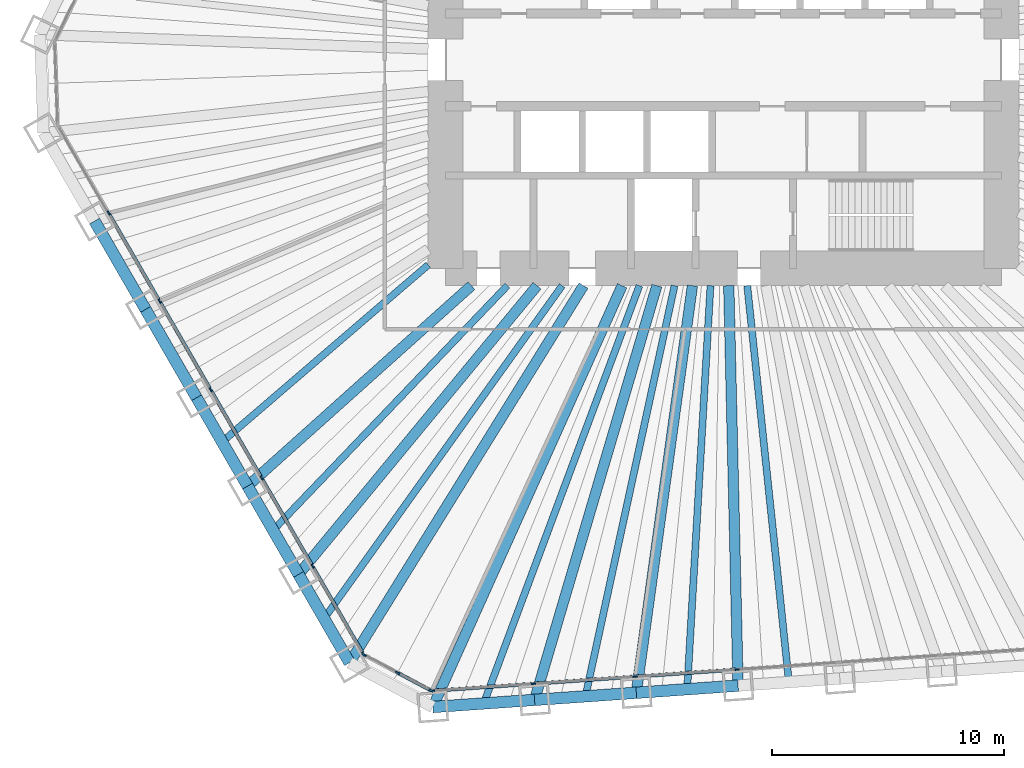
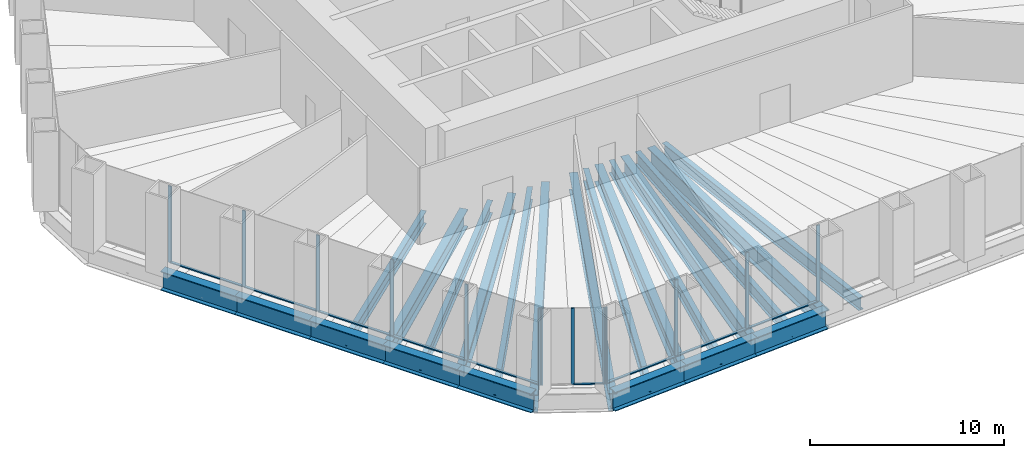
# One storey, part 2 of 13: 22 beams, 22 members, 3 elements without a shape of their own.
"""IFC4 building model written with IfcOpenShell, lengths in metres."""

from ifc_helpers import new_model, si_unit, direction, frame, origin, origin_2d, place, context, subcontext, project, spatial, rectangle, i_section, extrude, material, material_profile, profile_set, type_object, element, aggregate, save


model = new_model("IFC4")

# Units and contexts
model_context = context("Model", 3, precision=1e-05, world=origin(), true_north=direction((0.0, 1.0)))
body_context = subcontext(model_context, "Body", "Model", "MODEL_VIEW")
ifc_project = project(units=[si_unit("LENGTHUNIT", "METRE"), si_unit("AREAUNIT", "SQUARE_METRE"), si_unit("VOLUMEUNIT", "CUBIC_METRE"), si_unit("PLANEANGLEUNIT", "RADIAN"), si_unit("MASSUNIT", "GRAM", prefix="KILO")], contexts=[model_context])

# Site, building, storey
site_placement = place(None, origin())
site = spatial("IfcSite", under=ifc_project, at=site_placement, CompositionType="ELEMENT")
building_placement = place(site_placement, origin())
building = spatial("IfcBuilding", under=site, at=building_placement, Name="Qingtian Harvest Tower", CompositionType="ELEMENT")
storey_placement = place(building_placement, frame((0.0, 0.0, 42.0)))
storey = spatial("IfcBuildingStorey", under=building, at=storey_placement, Name="L08", CompositionType="ELEMENT", Elevation=42.0)

# Beams
ifc_material_1 = material(Name="Steel SM570MC", Category="steel")
ifc_material_profile_1 = material_profile(ifc_material_1, i_section(OverallWidth=0.449951171875, OverallDepth=1.10009765625, WebThickness=0.02197265625, FlangeThickness=0.044921875, at=origin_2d()), Name="H1100x450x22x45")
ifc_profile_set_1 = profile_set([ifc_material_profile_1], Name="Steel SM570MC")
beam_type_1 = type_object("IfcBeamType", Name="Corner floor beam FB8 H1100x450x22x45", PredefinedType="BEAM", material=ifc_profile_set_1)
beam_1_placement = place(storey_placement, frame((-12.552734375, -27.943603515625, -0.75), z_axis=(0.409769605538, 0.912189054077, 0.0), x_axis=(-0.912189054077, 0.409769605538, 0.0)))
element("IfcBeam", 1, at=beam_1_placement, inside=storey, type_object=beam_type_1, Name="Floor beam FB8 S6", PredefinedType="BEAM", context=body_context, shape_type="SweptSolid", body=[
    extrude(i_section(OverallWidth=0.449951171875, OverallDepth=1.10009765625, WebThickness=0.02197265625, FlangeThickness=0.044921875, at=origin_2d()), origin(), (0.0, 0.0, 1.0), 19.945068359375),
])
beam_2_placement = place(storey_placement, frame((-16.14697265625, -26.03271484375, -0.75), z_axis=(0.5270935495, 0.849807266429, 0.0), x_axis=(-0.849807266429, 0.5270935495, 0.0)))
element("IfcBeam", 2, at=beam_2_placement, inside=storey, type_object=beam_type_1, Name="Floor beam FB8 SW0", PredefinedType="BEAM", context=body_context, shape_type="SweptSolid", body=[
    extrude(i_section(OverallWidth=0.449951171875, OverallDepth=1.10009765625, WebThickness=0.02197265625, FlangeThickness=0.044921875, at=origin_2d()), origin(), (0.0, 0.0, 1.0), 19.160400390625),
])
ifc_material_2 = material(Name="Steel SM570MC", Category="steel")
ifc_material_profile_2 = material_profile(ifc_material_2, i_section(OverallWidth=0.449951171875, OverallDepth=1.10009765625, WebThickness=0.02197265625, FlangeThickness=0.044921875, at=origin_2d()), Name="H1100x450x22x45")
ifc_profile_set_2 = profile_set([ifc_material_profile_2], Name="Steel SM570MC")
beam_type_2 = type_object("IfcBeamType", Name="Floor beam FB1 H1100x450x22x45", PredefinedType="BEAM", material=ifc_profile_set_2)
beam_3_placement = place(storey_placement, frame((0.62890625, -27.02197265625, -0.75), z_axis=(-0.023274161941, 0.999729120005, 0.0), x_axis=(-0.999729120005, -0.023274161941, 0.0)))
element("IfcBeam", 3, at=beam_3_placement, inside=storey, type_object=beam_type_2, Name="Floor beam FB1 S3", PredefinedType="BEAM", context=body_context, shape_type="SweptSolid", body=[
    extrude(i_section(OverallWidth=0.449951171875, OverallDepth=1.10009765625, WebThickness=0.02197265625, FlangeThickness=0.044921875, at=origin_2d()), origin(), (0.0, 0.0, 1.0), 17.276611328125),
])
beam_4_placement = place(storey_placement, frame((-3.76513671875, -27.3291015625, -0.75), z_axis=(0.136480966577, 0.990642693287, 0.0), x_axis=(-0.990642693287, 0.136480966577, 0.0)))
element("IfcBeam", 4, at=beam_4_placement, inside=storey, type_object=beam_type_2, Name="Floor beam FB1 S4", PredefinedType="BEAM", context=body_context, shape_type="SweptSolid", body=[
    extrude(i_section(OverallWidth=0.449951171875, OverallDepth=1.10009765625, WebThickness=0.02197265625, FlangeThickness=0.044921875, at=origin_2d()), origin(), (0.0, 0.0, 1.0), 17.7451171875),
])
beam_5_placement = place(storey_placement, frame((-8.158935546875, -27.636474609375, -0.75), z_axis=(0.283142824758, 0.95907775534, 0.0), x_axis=(-0.95907775534, 0.283142824758, 0.0)))
element("IfcBeam", 5, at=beam_5_placement, inside=storey, type_object=beam_type_2, Name="Floor beam FB1 S5", PredefinedType="BEAM", context=body_context, shape_type="SweptSolid", body=[
    extrude(i_section(OverallWidth=0.449951171875, OverallDepth=1.10009765625, WebThickness=0.02197265625, FlangeThickness=0.044921875, at=origin_2d()), origin(), (0.0, 0.0, 1.0), 18.649658203125),
])
beam_6_placement = place(storey_placement, frame((-18.349365234375, -22.21826171875, -0.75), z_axis=(0.636780387972, 0.771045224026, 0.0), x_axis=(-0.771045224026, 0.636780387972, 0.0)))
element("IfcBeam", 6, at=beam_6_placement, inside=storey, type_object=beam_type_2, Name="Floor beam FB1 SW1", PredefinedType="BEAM", context=body_context, shape_type="SweptSolid", body=[
    extrude(i_section(OverallWidth=0.449951171875, OverallDepth=1.10009765625, WebThickness=0.02197265625, FlangeThickness=0.044921875, at=origin_2d()), origin(), (0.0, 0.0, 1.0), 16.170654296875),
])
beam_7_placement = place(storey_placement, frame((-20.551513671875, -18.403564453125, -0.75), z_axis=(0.744965104975, 0.667103434536, 0.0), x_axis=(-0.667103434536, 0.744965104975, 0.0)))
element("IfcBeam", 7, at=beam_7_placement, inside=storey, type_object=beam_type_2, Name="Floor beam FB1 SW2", PredefinedType="BEAM", context=body_context, shape_type="SweptSolid", body=[
    extrude(i_section(OverallWidth=0.449951171875, OverallDepth=1.10009765625, WebThickness=0.02197265625, FlangeThickness=0.044921875, at=origin_2d()), origin(), (0.0, 0.0, 1.0), 12.971923828125),
])
ifc_material_3 = material(Name="Steel SN490B", Category="steel")
ifc_material_profile_3 = material_profile(ifc_material_3, i_section(OverallWidth=0.300048828125, OverallDepth=0.800048828125, WebThickness=0.013916015625, FlangeThickness=0.02587890625, at=origin_2d()), Name="H800x300x14x26")
ifc_profile_set_3 = profile_set([ifc_material_profile_3], Name="Steel SN490B")
beam_type_3 = type_object("IfcBeamType", Name="Floor joist J1 H800x300x14x26", PredefinedType="JOIST", material=ifc_profile_set_3)
beam_8_placement = place(storey_placement, frame((2.82568359375, -26.868408203125, -0.60009765625), z_axis=(-0.104590278152, 0.99451539642, 0.0), x_axis=(-0.99451539642, -0.104590278152, 0.0)))
element("IfcBeam", 8, at=beam_8_placement, inside=storey, type_object=beam_type_3, Name="Floor joist J1 S2", PredefinedType="JOIST", context=body_context, shape_type="SweptSolid", body=[
    extrude(i_section(OverallWidth=0.300048828125, OverallDepth=0.800048828125, WebThickness=0.013916015625, FlangeThickness=0.02587890625, at=origin_2d()), origin(), (0.0, 0.0, 1.0), 17.212890625),
])
beam_9_placement = place(storey_placement, frame((-1.568115234375, -27.175537109375, -0.60009765625), z_axis=(0.057613424947, 0.998338967118, 0.0), x_axis=(-0.998338967118, 0.057613424947, 0.0)))
element("IfcBeam", 9, at=beam_9_placement, inside=storey, type_object=beam_type_3, Name="Floor joist J1 S3", PredefinedType="JOIST", context=body_context, shape_type="SweptSolid", body=[
    extrude(i_section(OverallWidth=0.300048828125, OverallDepth=0.800048828125, WebThickness=0.013916015625, FlangeThickness=0.02587890625, at=origin_2d()), origin(), (0.0, 0.0, 1.0), 17.45458984375),
])
beam_10_placement = place(storey_placement, frame((-5.9619140625, -27.48291015625, -0.60009765625), z_axis=(0.211992805661, 0.977271226604, 0.0), x_axis=(-0.977271226604, 0.211992805661, 0.0)))
element("IfcBeam", 10, at=beam_10_placement, inside=storey, type_object=beam_type_3, Name="Floor joist J1 S4", PredefinedType="JOIST", context=body_context, shape_type="SweptSolid", body=[
    extrude(i_section(OverallWidth=0.300048828125, OverallDepth=0.800048828125, WebThickness=0.013916015625, FlangeThickness=0.02587890625, at=origin_2d()), origin(), (0.0, 0.0, 1.0), 18.145263671875),
])
beam_11_placement = place(storey_placement, frame((-10.35595703125, -27.7900390625, -0.60009765625), z_axis=(0.349193741063, 0.937050548905, 0.0), x_axis=(-0.937050548905, 0.349193741063, 0.0)))
element("IfcBeam", 11, at=beam_11_placement, inside=storey, type_object=beam_type_3, Name="Floor joist J1 S5", PredefinedType="JOIST", context=body_context, shape_type="SweptSolid", body=[
    extrude(i_section(OverallWidth=0.300048828125, OverallDepth=0.800048828125, WebThickness=0.013916015625, FlangeThickness=0.02587890625, at=origin_2d()), origin(), (0.0, 0.0, 1.0), 19.251953125),
])
beam_12_placement = place(storey_placement, frame((-17.248046875, -24.12548828125, -0.60009765625), z_axis=(0.581580544546, 0.81348882611, 0.0), x_axis=(-0.81348882611, 0.581580544546, 0.0)))
element("IfcBeam", 12, at=beam_12_placement, inside=storey, type_object=beam_type_3, Name="Floor joist J1 SW0", PredefinedType="JOIST", context=body_context, shape_type="SweptSolid", body=[
    extrude(i_section(OverallWidth=0.300048828125, OverallDepth=0.800048828125, WebThickness=0.013916015625, FlangeThickness=0.02587890625, at=origin_2d()), origin(), (0.0, 0.0, 1.0), 17.67138671875),
])
beam_13_placement = place(storey_placement, frame((-19.450439453125, -20.31103515625, -0.60009765625), z_axis=(0.691639144398, 0.722243237377, 0.0), x_axis=(-0.722243237377, 0.691639144398, 0.0)))
element("IfcBeam", 13, at=beam_13_placement, inside=storey, type_object=beam_type_3, Name="Floor joist J1 SW1", PredefinedType="JOIST", context=body_context, shape_type="SweptSolid", body=[
    extrude(i_section(OverallWidth=0.300048828125, OverallDepth=0.800048828125, WebThickness=0.013916015625, FlangeThickness=0.02587890625, at=origin_2d()), origin(), (0.0, 0.0, 1.0), 14.62255859375),
])
beam_14_placement = place(storey_placement, frame((-21.652587890625, -16.496337890625, -0.60009765625), z_axis=(0.758605680154, 0.651550014994, 0.0), x_axis=(-0.651550014994, 0.758605680154, 0.0)))
element("IfcBeam", 14, at=beam_14_placement, inside=storey, type_object=beam_type_3, Name="Floor joist J1 SW2", PredefinedType="JOIST", context=body_context, shape_type="SweptSolid", body=[
    extrude(i_section(OverallWidth=0.300048828125, OverallDepth=0.800048828125, WebThickness=0.013916015625, FlangeThickness=0.02587890625, at=origin_2d()), origin(), (0.0, 0.0, 1.0), 11.7353515625),
])

# Curtain wall, members
ifc_material_4 = material(Name="Bronze-anodised aluminium curtain wall", Category="aluminium")
curtain_wall_type = type_object("IfcCurtainWallType", Name="Curtain wall CW2 farm reception", PredefinedType="USERDEFINED", material=ifc_material_4)
curtain_wall_1_placement = place(storey_placement, origin())
curtain_wall_1 = element("IfcCurtainWall", 15, at=curtain_wall_1_placement, inside=storey, type_object=curtain_wall_type, Name="Curtain wall CW2 L08 S0-5", ObjectType="RECESSED CURTAIN WALL", PredefinedType="USERDEFINED")
ifc_material_5 = material(Name="Bronze-anodised aluminium mullion", Category="aluminium")
ifc_material_profile_4 = material_profile(ifc_material_5, rectangle(XDim=0.06494140625, YDim=0.199951171875, at=origin_2d()), Name="AL 65x200")
ifc_profile_set_4 = profile_set([ifc_material_profile_4], Name="Bronze-anodised aluminium mullion")
member_type_1 = type_object("IfcMemberType", Name="Mullion CWM 65x200", PredefinedType="MULLION", material=ifc_profile_set_4)
member_1_placement = place(storey_placement, frame((0.580078125, -26.32373046875, 0.0), z_axis=(0.0, 0.0, 1.0), x_axis=(0.069756473744, -0.99756405026, 0.0)))
member_1 = element("IfcMember", 16, at=member_1_placement, type_object=member_type_1, Name="CW2 mullion 4", PredefinedType="MULLION", context=body_context, shape_type="SweptSolid", body=[
    extrude(rectangle(XDim=0.06494140625, YDim=0.199951171875, at=origin_2d()), origin(), (0.0, 0.0, 1.0), 4.800048828125),
])
member_2_placement = place(storey_placement, frame((-3.81396484375, -26.630859375, 0.0), z_axis=(0.0, 0.0, 1.0), x_axis=(0.069756473744, -0.99756405026, 0.0)))
member_2 = element("IfcMember", 17, at=member_2_placement, type_object=member_type_1, Name="CW2 mullion 5", PredefinedType="MULLION", context=body_context, shape_type="SweptSolid", body=[
    extrude(rectangle(XDim=0.06494140625, YDim=0.199951171875, at=origin_2d()), origin(), (0.0, 0.0, 1.0), 4.800048828125),
])
member_3_placement = place(storey_placement, frame((-8.207763671875, -26.938232421875, 0.0), z_axis=(0.0, 0.0, 1.0), x_axis=(0.069756473744, -0.99756405026, 0.0)))
member_3 = element("IfcMember", 18, at=member_3_placement, type_object=member_type_1, Name="CW2 mullion 6", PredefinedType="MULLION", context=body_context, shape_type="SweptSolid", body=[
    extrude(rectangle(XDim=0.06494140625, YDim=0.199951171875, at=origin_2d()), origin(), (0.0, 0.0, 1.0), 4.800048828125),
])
member_4_placement = place(storey_placement, frame((-12.569091796875, -27.2431640625, 0.0), z_axis=(0.0, 0.0, 1.0), x_axis=(0.069756473744, -0.99756405026, 0.0)))
member_4 = element("IfcMember", 19, at=member_4_placement, type_object=member_type_1, Name="CW2 mullion 7", PredefinedType="MULLION", context=body_context, shape_type="SweptSolid", body=[
    extrude(rectangle(XDim=0.06494140625, YDim=0.199951171875, at=origin_2d()), origin(), (0.0, 0.0, 1.0), 4.800048828125),
])

curtain_wall_2_placement = place(storey_placement, origin())
curtain_wall_2 = element("IfcCurtainWall", 20, at=curtain_wall_2_placement, inside=storey, type_object=curtain_wall_type, Name="Curtain wall CW2 L08 SC", ObjectType="RECESSED CURTAIN WALL", PredefinedType="USERDEFINED")
member_5_placement = place(storey_placement, frame((-12.63037109375, -27.230224609375, 0.0), z_axis=(0.0, 0.0, 1.0), x_axis=(-0.469471562786, -0.882947592859, 0.0)))
member_5 = element("IfcMember", 21, at=member_5_placement, type_object=member_type_1, Name="CW2 mullion 1", PredefinedType="MULLION", context=body_context, shape_type="SweptSolid", body=[
    extrude(rectangle(XDim=0.06494140625, YDim=0.199951171875, at=origin_2d()), origin(), (0.0, 0.0, 1.0), 4.800048828125),
])
member_6_placement = place(storey_placement, frame((-14.0712890625, -26.464111328125, 0.0), z_axis=(0.0, 0.0, 1.0), x_axis=(-0.469471562786, -0.882947592859, 0.0)))
member_6 = element("IfcMember", 22, at=member_6_placement, type_object=member_type_1, Name="CW2 mullion 2", PredefinedType="MULLION", context=body_context, shape_type="SweptSolid", body=[
    extrude(rectangle(XDim=0.06494140625, YDim=0.199951171875, at=origin_2d()), origin(), (0.0, 0.0, 1.0), 4.800048828125),
])
member_7_placement = place(storey_placement, frame((-15.511962890625, -25.697998046875, 0.0), z_axis=(0.0, 0.0, 1.0), x_axis=(-0.469471562786, -0.882947592859, 0.0)))
member_7 = element("IfcMember", 23, at=member_7_placement, type_object=member_type_1, Name="CW2 mullion 3", PredefinedType="MULLION", context=body_context, shape_type="SweptSolid", body=[
    extrude(rectangle(XDim=0.06494140625, YDim=0.199951171875, at=origin_2d()), origin(), (0.0, 0.0, 1.0), 4.800048828125),
])

curtain_wall_3_placement = place(storey_placement, origin())
curtain_wall_3 = element("IfcCurtainWall", 24, at=curtain_wall_3_placement, inside=storey, type_object=curtain_wall_type, Name="Curtain wall CW2 L08 SW0-5", ObjectType="RECESSED CURTAIN WALL", PredefinedType="USERDEFINED")
member_8_placement = place(storey_placement, frame((-15.556884765625, -25.654541015625, 0.0), z_axis=(0.0, 0.0, 1.0), x_axis=(-0.866025403784, -0.5, 0.0)))
member_8 = element("IfcMember", 25, at=member_8_placement, type_object=member_type_1, Name="CW2 mullion 1", PredefinedType="MULLION", context=body_context, shape_type="SweptSolid", body=[
    extrude(rectangle(XDim=0.06494140625, YDim=0.199951171875, at=origin_2d()), origin(), (0.0, 0.0, 1.0), 4.800048828125),
])
member_9_placement = place(storey_placement, frame((-17.742919921875, -21.8681640625, 0.0), z_axis=(0.0, 0.0, 1.0), x_axis=(-0.866025403784, -0.5, 0.0)))
member_9 = element("IfcMember", 26, at=member_9_placement, type_object=member_type_1, Name="CW2 mullion 2", PredefinedType="MULLION", context=body_context, shape_type="SweptSolid", body=[
    extrude(rectangle(XDim=0.06494140625, YDim=0.199951171875, at=origin_2d()), origin(), (0.0, 0.0, 1.0), 4.800048828125),
])
member_10_placement = place(storey_placement, frame((-19.9453125, -18.0537109375, 0.0), z_axis=(0.0, 0.0, 1.0), x_axis=(-0.866025403784, -0.5, 0.0)))
member_10 = element("IfcMember", 27, at=member_10_placement, type_object=member_type_1, Name="CW2 mullion 3", PredefinedType="MULLION", context=body_context, shape_type="SweptSolid", body=[
    extrude(rectangle(XDim=0.06494140625, YDim=0.199951171875, at=origin_2d()), origin(), (0.0, 0.0, 1.0), 4.800048828125),
])
member_11_placement = place(storey_placement, frame((-22.147705078125, -14.2392578125, 0.0), z_axis=(0.0, 0.0, 1.0), x_axis=(-0.866025403784, -0.5, 0.0)))
member_11 = element("IfcMember", 28, at=member_11_placement, type_object=member_type_1, Name="CW2 mullion 4", PredefinedType="MULLION", context=body_context, shape_type="SweptSolid", body=[
    extrude(rectangle(XDim=0.06494140625, YDim=0.199951171875, at=origin_2d()), origin(), (0.0, 0.0, 1.0), 4.800048828125),
])
member_12_placement = place(storey_placement, frame((-24.349853515625, -10.424560546875, 0.0), z_axis=(0.0, 0.0, 1.0), x_axis=(-0.866025403784, -0.5, 0.0)))
member_12 = element("IfcMember", 29, at=member_12_placement, type_object=member_type_1, Name="CW2 mullion 5", PredefinedType="MULLION", context=body_context, shape_type="SweptSolid", body=[
    extrude(rectangle(XDim=0.06494140625, YDim=0.199951171875, at=origin_2d()), origin(), (0.0, 0.0, 1.0), 4.800048828125),
])
member_13_placement = place(storey_placement, frame((-26.55224609375, -6.610107421875, 0.0), z_axis=(0.0, 0.0, 1.0), x_axis=(-0.866025403784, -0.5, 0.0)))
member_13 = element("IfcMember", 30, at=member_13_placement, type_object=member_type_1, Name="CW2 mullion 6", PredefinedType="MULLION", context=body_context, shape_type="SweptSolid", body=[
    extrude(rectangle(XDim=0.06494140625, YDim=0.199951171875, at=origin_2d()), origin(), (0.0, 0.0, 1.0), 4.800048828125),
])

# Beams
ifc_material_6 = material(Name="Steel SM570MC", Category="steel")
ifc_material_profile_5 = material_profile(ifc_material_6, i_section(OverallWidth=0.5, OverallDepth=1.199951171875, WebThickness=0.02490234375, FlangeThickness=0.050048828125, at=origin_2d()), Name="H1200x500x25x50")
ifc_profile_set_5 = profile_set([ifc_material_profile_5], Name="Steel SM570MC")
beam_type_4 = type_object("IfcBeamType", Name="Spandrel beam SB1 H1200x500x25x50", PredefinedType="SPANDREL", material=ifc_profile_set_5)
beam_15_placement = place(storey_placement, frame((0.62890625, -27.02197265625, -0.60009765625), z_axis=(-0.997566143208, -0.069726536735, 0.0), x_axis=(0.069726536735, -0.997566143208, 0.0)))
element("IfcBeam", 31, at=beam_15_placement, inside=storey, type_object=beam_type_4, Name="Spandrel SB1 S3", PredefinedType="SPANDREL", context=body_context, shape_type="SweptSolid", body=[
    extrude(i_section(OverallWidth=0.5, OverallDepth=1.199951171875, WebThickness=0.02490234375, FlangeThickness=0.050048828125, at=origin_2d()), origin(), (0.0, 0.0, 1.0), 4.40478515625),
])
for number, where, z_axis, x_axis, name in (
    (32, (-3.76513671875, -27.3291015625, -0.60009765625), (-0.997562016486, -0.069785551967, 0.0), (0.069785551967, -0.997562016486, 0.0), "Spandrel SB1 S4"),
    (33, (-8.158935546875, -27.636474609375, -0.60009765625), (-0.997565873714, -0.069730392239, 0.0), (0.069730392239, -0.997565873714, 0.0), "Spandrel SB1 S5"),
    (34, (-16.14697265625, -26.03271484375, -0.60009765625), (-0.50001992892, 0.866013897511, 0.0), (-0.866013897511, -0.50001992892, 0.0), "Spandrel SB1 SW0"),
):
    element("IfcBeam", number, at=place(storey_placement, frame(where, z_axis=z_axis, x_axis=x_axis)), inside=storey, type_object=beam_type_4, Name=name, PredefinedType="SPANDREL", context=body_context, shape_type="SweptSolid", body=[
        extrude(i_section(OverallWidth=0.5, OverallDepth=1.199951171875, WebThickness=0.02490234375, FlangeThickness=0.050048828125, at=origin_2d()), origin(), (0.0, 0.0, 1.0), 4.404541015625),
    ])
beam_16_placement = place(storey_placement, frame((-18.349365234375, -22.21826171875, -0.60009765625), z_axis=(-0.499954356739, 0.86605175433, 0.0), x_axis=(-0.86605175433, -0.499954356739, 0.0)))
element("IfcBeam", 35, at=beam_16_placement, inside=storey, type_object=beam_type_4, Name="Spandrel SB1 SW1", PredefinedType="SPANDREL", context=body_context, shape_type="SweptSolid", body=[
    extrude(i_section(OverallWidth=0.5, OverallDepth=1.199951171875, WebThickness=0.02490234375, FlangeThickness=0.050048828125, at=origin_2d()), origin(), (0.0, 0.0, 1.0), 4.40478515625),
])
for number, where, z_axis, x_axis, name in (
    (36, (-20.551513671875, -18.403564453125, -0.60009765625), (-0.50001992892, 0.866013897511, 0.0), (-0.866013897511, -0.50001992892, 0.0), "Spandrel SB1 SW2"),
    (37, (-22.75390625, -14.589111328125, -0.60009765625), (-0.499978356969, 0.866037899034, 0.0), (-0.866037899034, -0.499978356969, 0.0), "Spandrel SB1 SW3"),
    (38, (-24.9560546875, -10.774658203125, -0.60009765625), (-0.50001992892, 0.866013897511, 0.0), (-0.866013897511, -0.50001992892, 0.0), "Spandrel SB1 SW4"),
):
    element("IfcBeam", number, at=place(storey_placement, frame(where, z_axis=z_axis, x_axis=x_axis)), inside=storey, type_object=beam_type_4, Name=name, PredefinedType="SPANDREL", context=body_context, shape_type="SweptSolid", body=[
        extrude(i_section(OverallWidth=0.5, OverallDepth=1.199951171875, WebThickness=0.02490234375, FlangeThickness=0.050048828125, at=origin_2d()), origin(), (0.0, 0.0, 1.0), 4.404541015625),
    ])

# Member
ifc_material_7 = material(Name="Bronze-anodised aluminium transom", Category="aluminium")
ifc_material_profile_6 = material_profile(ifc_material_7, rectangle(XDim=0.14990234375, YDim=0.06494140625, at=origin_2d()), Name="AL 65x150")
ifc_profile_set_6 = profile_set([ifc_material_profile_6], Name="Bronze-anodised aluminium transom")
member_type_2 = type_object("IfcMemberType", Name="Transom CWT 65x150", PredefinedType="USERDEFINED", material=ifc_profile_set_6)
member_14_placement = place(storey_placement, frame((0.547607421875, -26.325927734375, 0.032470703125), z_axis=(-0.997563824095, -0.069759707979, 0.0), x_axis=(0.069759707979, -0.997563824095, 0.0)))
member_14 = element("IfcMember", 39, at=member_14_placement, type_object=member_type_2, Name="CW2 transom 4.1", ObjectType="TRANSOM", PredefinedType="USERDEFINED", context=body_context, shape_type="SweptSolid", body=[
    extrude(rectangle(XDim=0.14990234375, YDim=0.06494140625, at=origin_2d()), origin(), (0.0, 0.0, 1.0), 4.339599609375),
])

member_15_placement = place(storey_placement, frame((-3.84619140625, -26.63330078125, 0.032470703125), z_axis=(-0.997567737508, -0.069703723594, 0.0), x_axis=(0.069703723594, -0.997567737508, 0.0)))
member_15 = element("IfcMember", 40, at=member_15_placement, type_object=member_type_2, Name="CW2 transom 5.1", ObjectType="TRANSOM", PredefinedType="USERDEFINED", context=body_context, shape_type="SweptSolid", body=[
    extrude(rectangle(XDim=0.14990234375, YDim=0.06494140625, at=origin_2d()), origin(), (0.0, 0.0, 1.0), 4.339599609375),
])

member_16_placement = place(storey_placement, frame((-8.240234375, -26.9404296875, 0.032470703125), z_axis=(-0.997562637827, -0.069776669536, 0.0), x_axis=(0.069776669536, -0.997562637827, 0.0)))
member_16 = element("IfcMember", 41, at=member_16_placement, type_object=member_type_2, Name="CW2 transom 6.1", ObjectType="TRANSOM", PredefinedType="USERDEFINED", context=body_context, shape_type="SweptSolid", body=[
    extrude(rectangle(XDim=0.14990234375, YDim=0.06494140625, at=origin_2d()), origin(), (0.0, 0.0, 1.0), 4.30712890625),
])

aggregate(curtain_wall_1, [member_1, member_2, member_3, member_4, member_14, member_15, member_16])

member_17_placement = place(storey_placement, frame((-12.658935546875, -27.21484375, 0.032470703125), z_axis=(-0.882960338349, 0.46944759122, 0.0), x_axis=(-0.46944759122, -0.882960338349, 0.0)))
member_17 = element("IfcMember", 42, at=member_17_placement, type_object=member_type_2, Name="CW2 transom 1.1", ObjectType="TRANSOM", PredefinedType="USERDEFINED", context=body_context, shape_type="SweptSolid", body=[
    extrude(rectangle(XDim=0.14990234375, YDim=0.06494140625, at=origin_2d()), origin(), (0.0, 0.0, 1.0), 1.56689453125),
])

aggregate(curtain_wall_2, [member_5, member_6, member_7, member_17])

member_18_placement = place(storey_placement, frame((-15.5732421875, -25.62646484375, 0.032470703125), z_axis=(-0.499985768833, 0.866033619997, 0.0), x_axis=(-0.866033619997, -0.499985768833, 0.0)))
member_18 = element("IfcMember", 43, at=member_18_placement, type_object=member_type_2, Name="CW2 transom 1.1", ObjectType="TRANSOM", PredefinedType="USERDEFINED", context=body_context, shape_type="SweptSolid", body=[
    extrude(rectangle(XDim=0.14990234375, YDim=0.06494140625, at=origin_2d()), origin(), (0.0, 0.0, 1.0), 4.307373046875),
])

member_19_placement = place(storey_placement, frame((-17.75927734375, -21.840087890625, 0.032470703125), z_axis=(-0.500011390128, 0.866018827591, 0.0), x_axis=(-0.866018827591, -0.500011390128, 0.0)))
member_19 = element("IfcMember", 44, at=member_19_placement, type_object=member_type_2, Name="CW2 transom 2.1", ObjectType="TRANSOM", PredefinedType="USERDEFINED", context=body_context, shape_type="SweptSolid", body=[
    extrude(rectangle(XDim=0.14990234375, YDim=0.06494140625, at=origin_2d()), origin(), (0.0, 0.0, 1.0), 4.33984375),
])

member_20_placement = place(storey_placement, frame((-19.961669921875, -18.025634765625, 0.032470703125), z_axis=(-0.499969196308, 0.866043187574, 0.0), x_axis=(-0.866043187574, -0.499969196308, 0.0)))
member_20 = element("IfcMember", 45, at=member_20_placement, type_object=member_type_2, Name="CW2 transom 3.1", ObjectType="TRANSOM", PredefinedType="USERDEFINED", context=body_context, shape_type="SweptSolid", body=[
    extrude(rectangle(XDim=0.14990234375, YDim=0.06494140625, at=origin_2d()), origin(), (0.0, 0.0, 1.0), 4.339599609375),
])

member_21_placement = place(storey_placement, frame((-22.163818359375, -14.2109375, 0.032470703125), z_axis=(-0.500035751442, 0.866004761696, 0.0), x_axis=(-0.866004761696, -0.500035751442, 0.0)))
member_21 = element("IfcMember", 46, at=member_21_placement, type_object=member_type_2, Name="CW2 transom 4.1", ObjectType="TRANSOM", PredefinedType="USERDEFINED", context=body_context, shape_type="SweptSolid", body=[
    extrude(rectangle(XDim=0.14990234375, YDim=0.06494140625, at=origin_2d()), origin(), (0.0, 0.0, 1.0), 4.339599609375),
])

member_22_placement = place(storey_placement, frame((-24.3662109375, -10.396484375, 0.032470703125), z_axis=(-0.499993556937, 0.866029123656, 0.0), x_axis=(-0.866029123656, -0.499993556937, 0.0)))
member_22 = element("IfcMember", 47, at=member_22_placement, type_object=member_type_2, Name="CW2 transom 5.1", ObjectType="TRANSOM", PredefinedType="USERDEFINED", context=body_context, shape_type="SweptSolid", body=[
    extrude(rectangle(XDim=0.14990234375, YDim=0.06494140625, at=origin_2d()), origin(), (0.0, 0.0, 1.0), 4.33935546875),
])

aggregate(curtain_wall_3, [member_8, member_9, member_10, member_11, member_12, member_13, member_18, member_19, member_20, member_21, member_22])

save(model, "model.ifc")
